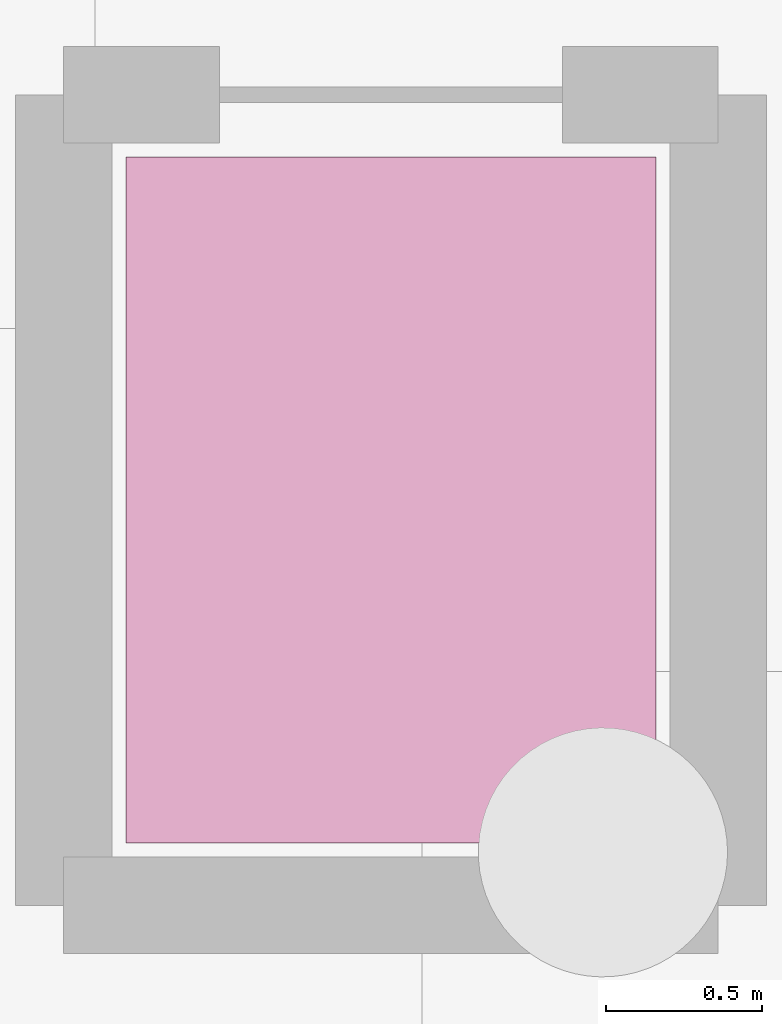
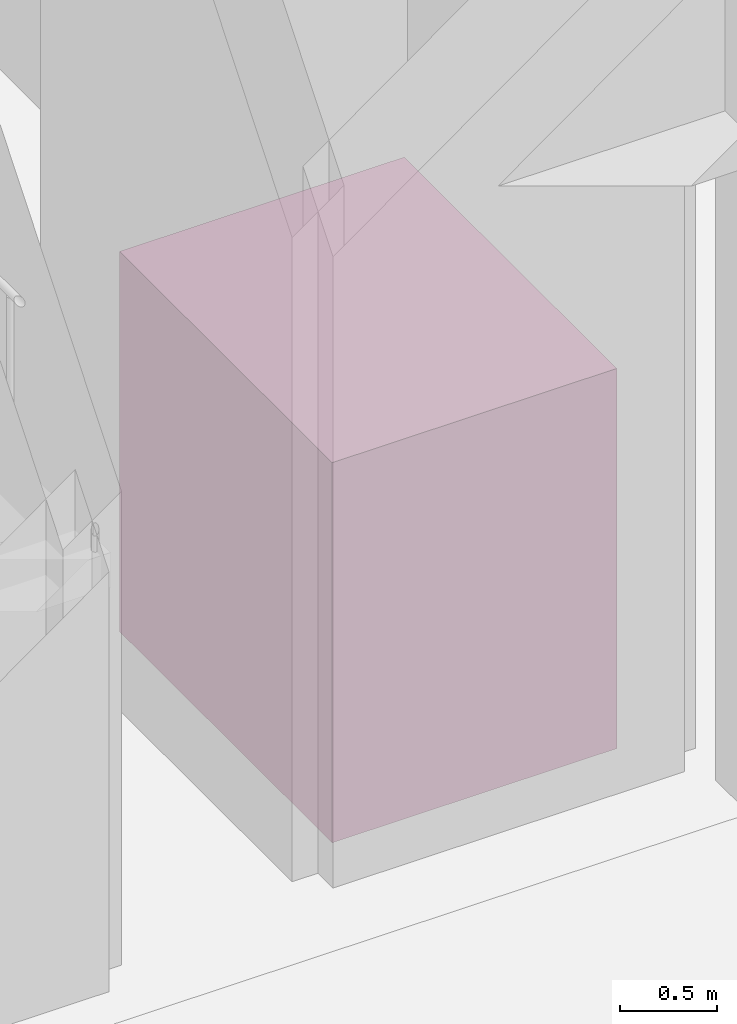
# One storey, part 140 of 140: 1 transport element.
"""IFC4 building model written with IfcOpenShell, lengths in metres."""

import ifcopenshell
import ifcopenshell.guid

model = None  # the IFC model being written
_history = None  # IfcOwnerHistory: only IFC2X3 demands one
_inside = {}  # id of a spatial element -> (the spatial element, [elements in it])
_under = {}  # id of a project, library or spatial element -> (it, [spatial elements below it])
_declared = {}  # id of a project -> (the project, [libraries it declares])
_typed = {}  # id of a type object -> (the type object, [elements of that type])
_made_of = {}  # id of a material, layer set ... -> (it, [elements and type objects made of it])


def new_model(schema):
    """Start an empty IFC model of exactly this schema.

    Asked for "IFC4X3", IfcOpenShell would pick the latest addendum, in which some entities
    have other attributes; the version numbers below select the first issue.
    IFC2X3 requires an IfcOwnerHistory on every rooted entity: one is made here for all.
    """
    global model, _history
    if schema == "IFC4X3":
        model = ifcopenshell.file(schema_version=(4, 3, 0, 0))
    else:
        model = ifcopenshell.file(schema=schema)
    _inside.clear()
    _under.clear()
    _declared.clear()
    _typed.clear()
    _made_of.clear()
    _history = None
    if model.schema == "IFC2X3":
        org = make("IfcOrganization", Name="unknown")
        user = make(
            "IfcPersonAndOrganization",
            ThePerson=make("IfcPerson", FamilyName="unknown"),
            TheOrganization=org,
        )
        app = make(
            "IfcApplication",
            ApplicationDeveloper=org,
            Version="unknown",
            ApplicationFullName="unknown",
            ApplicationIdentifier="unknown",
        )
        _history = make(
            "IfcOwnerHistory",
            OwningUser=user,
            OwningApplication=app,
            ChangeAction="ADDED",
            CreationDate=0,
        )
    return model


def make(cls, **values):
    """One entity of the class cls with the attributes given. An attribute that is None is left unset."""
    return model.create_entity(
        cls, **{name: value for name, value in values.items() if value is not None}
    )


def rooted(cls, **values):
    """An entity with a GlobalId (a new one), such as an element, a storey or a relation."""
    return make(cls, GlobalId=ifcopenshell.guid.new(), OwnerHistory=_history, **values)


def si_unit(unit_type, name, prefix=None):
    """IfcSIUnit, for example si_unit("LENGTHUNIT", "METRE", prefix="MILLI")."""
    return make("IfcSIUnit", UnitType=unit_type, Prefix=prefix, Name=name)


def assignment(units):
    """IfcUnitAssignment: the units of a project."""
    return None if units is None else make("IfcUnitAssignment", Units=units)


def point(xyz):
    """IfcCartesianPoint."""
    return None if xyz is None else make("IfcCartesianPoint", Coordinates=xyz)


def direction(xyz):
    """IfcDirection."""
    return None if xyz is None else make("IfcDirection", DirectionRatios=xyz)


def frame(location, z_axis=None, x_axis=None):
    """IfcAxis2Placement3D, a coordinate frame: its origin and axes. An axis left out is left unset."""
    return make(
        "IfcAxis2Placement3D",
        Location=point(location),
        Axis=direction(z_axis),
        RefDirection=direction(x_axis),
    )


def frame_2d(location, x_axis=None):
    """IfcAxis2Placement2D, a coordinate frame in the plane: its origin and x axis."""
    return make(
        "IfcAxis2Placement2D", Location=point(location), RefDirection=direction(x_axis)
    )


def origin():
    """The frame at (0, 0, 0) with its axes left unset."""
    return frame((0.0, 0.0, 0.0))


def origin_2d():
    """The frame at (0, 0) in the plane with its x axis left unset."""
    return frame_2d((0.0, 0.0))


def place(relative_to, where):
    """IfcLocalPlacement: puts the frame where relative to a parent placement (None: the world)."""
    return make(
        "IfcLocalPlacement", PlacementRelTo=relative_to, RelativePlacement=where
    )


def context(
    kind, dimensions, precision=None, world=None, true_north=None, identifier=None
):
    """IfcGeometricRepresentationContext, for example the 3D "Model" context."""
    return make(
        "IfcGeometricRepresentationContext",
        ContextIdentifier=identifier,
        ContextType=kind,
        CoordinateSpaceDimension=dimensions,
        Precision=precision,
        WorldCoordinateSystem=world,
        TrueNorth=true_north,
    )


def subcontext(parent, identifier, kind, view, scale=None):
    """IfcGeometricRepresentationSubContext, for example "Body" below "Model"."""
    return make(
        "IfcGeometricRepresentationSubContext",
        ContextIdentifier=identifier,
        ContextType=kind,
        ParentContext=parent,
        TargetScale=scale,
        TargetView=view,
    )


def project(units=None, contexts=None):
    """IfcProject with its units and contexts."""
    return rooted(
        "IfcProject",
        Name="project",
        RepresentationContexts=contexts,
        UnitsInContext=assignment(units),
    )


def spatial(cls, under=None, at=None, **own):
    """A site, building, storey or space (cls), placed at a placement, below another one or the project."""
    s = rooted(cls, ObjectPlacement=at, **own)
    if under is not None:
        _under.setdefault(under.id(), (under, []))[1].append(s)
    return s


def profile(cls, at=None, kind="AREA", **sizes):
    """A parametric profile (cls). Its sizes go by their IFC names, for example OverallWidth=200.0."""
    return make(cls, ProfileType=kind, Position=at, **sizes)


def rectangle(**sizes):
    """IfcRectangleProfileDef."""
    return profile("IfcRectangleProfileDef", **sizes)


def extrude(swept, where, along, depth):
    """IfcExtrudedAreaSolid: the profile swept, set in the frame where, extruded along a direction by depth."""
    return make(
        "IfcExtrudedAreaSolid",
        SweptArea=swept,
        Position=where,
        ExtrudedDirection=direction(along),
        Depth=depth,
    )


def shape(context_of_items, identifier, shape_type, items):
    """IfcShapeRepresentation: the items that make up one representation, for example the "Body"."""
    return make(
        "IfcShapeRepresentation",
        ContextOfItems=context_of_items,
        RepresentationIdentifier=identifier,
        RepresentationType=shape_type,
        Items=items,
    )


def material(Name=None, Category=None):
    """IfcMaterial."""
    return make("IfcMaterial", Name=Name, Category=Category)


def made_of(thing, what):
    """Note that an element or type object is made of a material, layer set ...; save() writes the relation."""
    if what is not None:
        _made_of.setdefault(what.id(), (what, []))[1].append(thing)
    return thing


def type_object(cls, material=None, **own):
    """A type object (cls), such as IfcWallType, which elements share."""
    return made_of(rooted(cls, **own), material)


def element(
    cls,
    number,
    at=None,
    inside=None,
    cuts=None,
    type_object=None,
    material=None,
    context=None,
    identifier="Body",
    shape_type=None,
    held_by="IfcProductDefinitionShape",
    body=None,
    shapes=None,
    **own,
):
    """One element of the class cls, such as IfcWall. Its Tag is "e" and its number.

    at: its placement. inside: the storey or other place that contains it. cuts: it is an
    opening in that element (IfcRelVoidsElement). A single representation is given by context,
    identifier, shape_type and body (its items); several are given by shapes. held_by: the class
    of the entity that holds the representations. save() writes the other relations.
    """
    e = rooted(cls, Tag="e%d" % number, ObjectPlacement=at, **own)
    if body is not None:
        shapes = [shape(context, identifier, shape_type, body)]
    if shapes is not None:
        e.Representation = make(held_by, Representations=shapes)
    if inside is not None:
        _inside.setdefault(inside.id(), (inside, []))[1].append(e)
    if cuts is not None:
        rooted(
            "IfcRelVoidsElement", RelatingBuildingElement=cuts, RelatedOpeningElement=e
        )
    if type_object is not None:
        _typed.setdefault(type_object.id(), (type_object, []))[1].append(e)
    return made_of(e, material)


def aggregate(whole, parts):
    """IfcRelAggregates: a whole, such as a stair, and the parts it consists of."""
    return rooted("IfcRelAggregates", RelatingObject=whole, RelatedObjects=parts)


def save(model, path):
    """Write the relations noted so far, then the file.

    IfcRelAggregates (storeys below a building ...), IfcRelContainedInSpatialStructure (elements
    in a storey), IfcRelDefinesByType, IfcRelAssociatesMaterial and IfcRelDeclares: one each for
    every whole, place, type object, material and project.
    """
    for whole, parts in _under.values():
        aggregate(whole, parts)
    for where, things in _inside.values():
        rooted(
            "IfcRelContainedInSpatialStructure",
            RelatedElements=things,
            RelatingStructure=where,
        )
    for kind, things in _typed.values():
        rooted("IfcRelDefinesByType", RelatedObjects=things, RelatingType=kind)
    for what, things in _made_of.values():
        rooted("IfcRelAssociatesMaterial", RelatedObjects=things, RelatingMaterial=what)
    for by, libraries in _declared.values():
        rooted("IfcRelDeclares", RelatingContext=by, RelatedDefinitions=libraries)
    model.write(path)


model = new_model("IFC4")

# Units and contexts
model_context = context("Model", 3, precision=1e-05, world=origin(), true_north=direction((0.0, 1.0)))
body_context = subcontext(model_context, "Body", "Model", "MODEL_VIEW")
ifc_project = project(units=[si_unit("LENGTHUNIT", "METRE"), si_unit("AREAUNIT", "SQUARE_METRE"), si_unit("VOLUMEUNIT", "CUBIC_METRE"), si_unit("PLANEANGLEUNIT", "RADIAN"), si_unit("MASSUNIT", "GRAM", prefix="KILO")], contexts=[model_context])

# Site, building, storey
site_placement = place(None, origin())
site = spatial("IfcSite", under=ifc_project, at=site_placement, CompositionType="ELEMENT")
building_placement = place(site_placement, origin())
building = spatial("IfcBuilding", under=site, at=building_placement, Name="Cimatlan Art Gallery", CompositionType="ELEMENT")
storey_placement = place(building_placement, origin())
storey = spatial("IfcBuildingStorey", under=building, at=storey_placement, Name="L00", CompositionType="ELEMENT", Elevation=0.0)

# Transport element
ifc_material = material(Name="Brushed stainless steel and bronze lift car", Category="steel")
transport_element_type = type_object("IfcTransportElementType", Name="LFT-PASS-1700X2200", PredefinedType="ELEVATOR", material=ifc_material)
transport_element_placement = place(storey_placement, frame((154.39990234375, 25.85009765625, 0.0), z_axis=(0.0, 0.0, 1.0), x_axis=(1.0, 0.0, 0.0)))
element("IfcTransportElement", 1, at=transport_element_placement, inside=storey, type_object=transport_element_type, Name="Passenger Lift Studios", PredefinedType="ELEVATOR", context=body_context, shape_type="SweptSolid", body=[
    extrude(rectangle(XDim=1.699951171875, YDim=2.199951171875, at=origin_2d()), origin(), (0.0, 0.0, 1.0), 2.39990234375),
])

save(model, "model.ifc")
